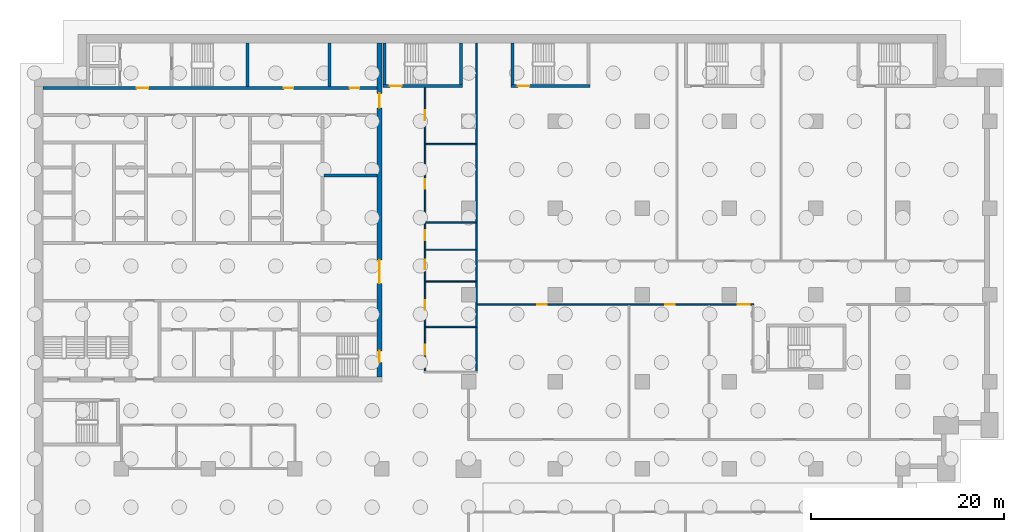
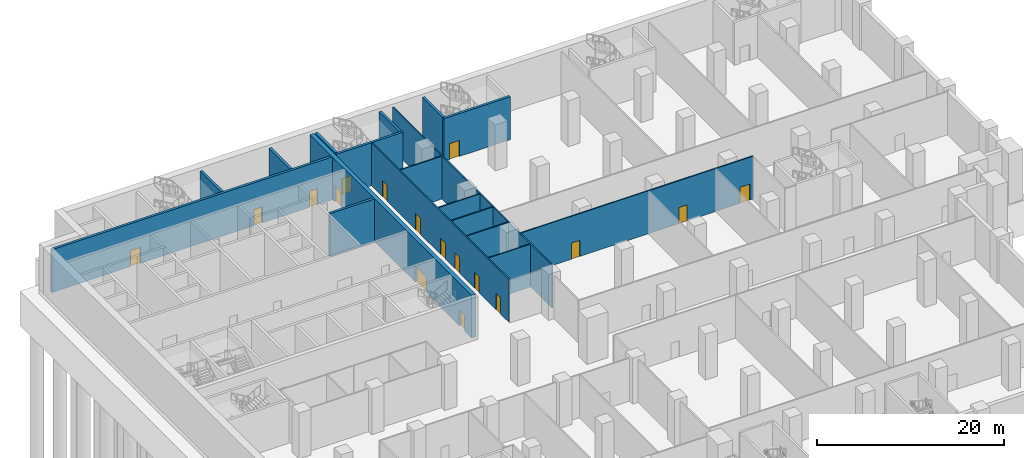
# One storey, part 8 of 25: 18 walls, 17 doors, 17 openings.
"""IFC4 building model written with IfcOpenShell, lengths in metres."""

from ifc_helpers import new_model, si_unit, direction, frame, frame_2d, origin, place, context, subcontext, project, spatial, rectangle, extrude, material, layer, layer_set, type_object, element, fill, save


model = new_model("IFC4")

# Units and contexts
model_context = context("Model", 3, precision=1e-05, world=origin(), true_north=direction((0.0, 1.0)))
body_context = subcontext(model_context, "Body", "Model", "MODEL_VIEW")
ifc_project = project(units=[si_unit("LENGTHUNIT", "METRE"), si_unit("AREAUNIT", "SQUARE_METRE"), si_unit("VOLUMEUNIT", "CUBIC_METRE"), si_unit("PLANEANGLEUNIT", "RADIAN"), si_unit("MASSUNIT", "GRAM", prefix="KILO")], contexts=[model_context])

# Site, building, storey
site_placement = place(None, origin())
site = spatial("IfcSite", under=ifc_project, at=site_placement, CompositionType="ELEMENT")
building_placement = place(site_placement, origin())
building = spatial("IfcBuilding", under=site, at=building_placement, Name="Hunhe Ridgeline Campus", CompositionType="ELEMENT")
storey_placement = place(building_placement, frame((0.0, 0.0, -6.0)))
storey = spatial("IfcBuildingStorey", under=building, at=storey_placement, Name="B1", CompositionType="ELEMENT", Elevation=-6.0)

# Walls
ifc_material_1 = material(Name="Plastered blockwork", Category="masonry")
ifc_layer_1 = layer(ifc_material_1, 0.14990234375)
ifc_layer_set_1 = layer_set([ifc_layer_1], Name="Blockwork partition 150")
wall_type_1 = type_object("IfcWallType", Name="Blockwork partition 150", PredefinedType="PARTITIONING", material=ifc_layer_set_1)
wall_1_placement = place(storey_placement, frame((40.574951171875, 68.697021484375, 0.0), z_axis=(0.0, 0.0, 1.0), x_axis=(1.0, 0.0, 0.0)))
element("IfcWall", 1, at=wall_1_placement, inside=storey, type_object=wall_type_1, Name="B1 partition", PredefinedType="PARTITIONING", context=body_context, shape_type="SweptSolid", body=[
    extrude(rectangle(XDim=5.150146484375, YDim=0.14990234375, at=frame_2d((2.5751953125, 0.0))), origin(), (0.0, 0.0, 1.0), 5.60009765625),
])
wall_2_placement = place(storey_placement, frame((45.800048828125, 64.074951171875, 0.0), z_axis=(0.0, 0.0, 1.0), x_axis=(0.0, 1.0, 0.0)))
element("IfcWall", 2, at=wall_2_placement, inside=storey, type_object=wall_type_1, Name="B1 partition", PredefinedType="PARTITIONING", context=body_context, shape_type="SweptSolid", body=[
    extrude(rectangle(XDim=34.025146484375, YDim=0.14990234375, at=frame_2d((17.0126953125, 0.0))), origin(), (0.0, 0.0, 1.0), 5.60009765625),
])

# Wall, openings, doors
wall_3_placement = place(storey_placement, frame((40.5, 64.074951171875, 0.0), z_axis=(0.0, 0.0, 1.0), x_axis=(0.0, 1.0, 0.0)))
wall_3 = element("IfcWall", 3, at=wall_3_placement, inside=storey, type_object=wall_type_1, Name="B1 partition", PredefinedType="PARTITIONING", context=body_context, shape_type="SweptSolid", body=[
    extrude(rectangle(XDim=29.425048828125, YDim=0.14990234375, at=frame_2d((14.71240234375, 0.0))), origin(), (0.0, 0.0, 1.0), 5.60009765625),
])
opening_1_placement = place(wall_3_placement, frame((1.75, 0.0, 0.0)))
opening_1 = element("IfcOpeningElement", 4, at=opening_1_placement, cuts=wall_3, Name="Opening PD028", PredefinedType="OPENING", context=body_context, shape_type="SweptSolid", body=[
    extrude(rectangle(XDim=1.0, YDim=2.10009765625, at=frame_2d((0.5, 1.050048828125))), frame((0.0, 0.074951171875, 0.0), z_axis=(0.0, -1.0, 0.0), x_axis=(1.0, 0.0, 0.0)), (0.0, 0.0, 1.0), 0.14990234375),
])
opening_2_placement = place(wall_3_placement, frame((6.3720703125, 0.0, 0.0)))
opening_2 = element("IfcOpeningElement", 5, at=opening_2_placement, cuts=wall_3, Name="Opening PD029", PredefinedType="OPENING", context=body_context, shape_type="SweptSolid", body=[
    extrude(rectangle(XDim=1.0, YDim=2.10009765625, at=frame_2d((0.5, 1.050048828125))), frame((0.0, 0.074951171875, 0.0), z_axis=(0.0, -1.0, 0.0), x_axis=(1.0, 0.0, 0.0)), (0.0, 0.0, 1.0), 0.14990234375),
])
opening_3_placement = place(wall_3_placement, frame((10.569091796875, 0.0, 0.0)))
opening_3 = element("IfcOpeningElement", 6, at=opening_3_placement, cuts=wall_3, Name="Opening PD030", PredefinedType="OPENING", context=body_context, shape_type="SweptSolid", body=[
    extrude(rectangle(XDim=1.0, YDim=2.10009765625, at=frame_2d((0.5, 1.050048828125))), frame((0.0, 0.074951171875, 0.0), z_axis=(0.0, -1.0, 0.0), x_axis=(1.0, 0.0, 0.0)), (0.0, 0.0, 1.0), 0.14990234375),
])
opening_4_placement = place(wall_3_placement, frame((13.60693359375, 0.0, 0.0)))
opening_4 = element("IfcOpeningElement", 7, at=opening_4_placement, cuts=wall_3, Name="Opening PD031", PredefinedType="OPENING", context=body_context, shape_type="SweptSolid", body=[
    extrude(rectangle(XDim=1.0, YDim=2.10009765625, at=frame_2d((0.5, 1.050048828125))), frame((0.0, 0.074951171875, 0.0), z_axis=(0.0, -1.0, 0.0), x_axis=(1.0, 0.0, 0.0)), (0.0, 0.0, 1.0), 0.14990234375),
])
opening_5_placement = place(wall_3_placement, frame((18.925048828125, 0.0, 0.0)))
opening_5 = element("IfcOpeningElement", 8, at=opening_5_placement, cuts=wall_3, Name="Opening PD032", PredefinedType="OPENING", context=body_context, shape_type="SweptSolid", body=[
    extrude(rectangle(XDim=1.0, YDim=2.10009765625, at=frame_2d((0.5, 1.050048828125))), frame((0.0, 0.074951171875, 0.0), z_axis=(0.0, -1.0, 0.0), x_axis=(1.0, 0.0, 0.0)), (0.0, 0.0, 1.0), 0.14990234375),
])
opening_6_placement = place(wall_3_placement, frame((26.050048828125, 0.0, 0.0)))
opening_6 = element("IfcOpeningElement", 9, at=opening_6_placement, cuts=wall_3, Name="Opening PD033", PredefinedType="OPENING", context=body_context, shape_type="SweptSolid", body=[
    extrude(rectangle(XDim=1.0, YDim=2.10009765625, at=frame_2d((0.5, 1.050048828125))), frame((0.0, 0.074951171875, 0.0), z_axis=(0.0, -1.0, 0.0), x_axis=(1.0, 0.0, 0.0)), (0.0, 0.0, 1.0), 0.14990234375),
])
ifc_material_2 = material(Name="Timber", Category="wood")
door_type_1 = type_object("IfcDoorType", Name="Podium accessible WC door 1000x2100", OperationType="NOTDEFINED", PredefinedType="DOOR", material=ifc_material_2)
door_1_placement = place(opening_3_placement, origin())
door_1 = element("IfcDoor", 10, at=door_1_placement, inside=storey, type_object=door_type_1, Name="Accessible WC door", OperationType="SINGLE_SWING_LEFT", OverallHeight=2.10009765625, OverallWidth=1.0, PredefinedType="DOOR", context=body_context, shape_type="SweptSolid", body=[
    extrude(rectangle(XDim=1.0, YDim=2.10009765625, at=frame_2d((0.5, 1.050048828125))), frame((0.0, 0.02490234375, 0.0), z_axis=(0.0, -1.0, 0.0), x_axis=(1.0, 0.0, 0.0)), (0.0, 0.0, 1.0), 0.050048828125),
])
fill(opening_3, door_1)
door_type_2 = type_object("IfcDoorType", Name="Podium timber door 1000x2100", OperationType="NOTDEFINED", PredefinedType="DOOR", material=ifc_material_2)
door_2_placement = place(opening_1_placement, origin())
door_2 = element("IfcDoor", 11, at=door_2_placement, inside=storey, type_object=door_type_2, Name="Men WC door", OperationType="SINGLE_SWING_LEFT", OverallHeight=2.10009765625, OverallWidth=1.0, PredefinedType="DOOR", context=body_context, shape_type="SweptSolid", body=[
    extrude(rectangle(XDim=1.0, YDim=2.10009765625, at=frame_2d((0.5, 1.050048828125))), frame((0.0, 0.02490234375, 0.0), z_axis=(0.0, -1.0, 0.0), x_axis=(1.0, 0.0, 0.0)), (0.0, 0.0, 1.0), 0.050048828125),
])
fill(opening_1, door_2)
door_3_placement = place(opening_2_placement, origin())
door_3 = element("IfcDoor", 12, at=door_3_placement, inside=storey, type_object=door_type_2, Name="Women WC door", OperationType="SINGLE_SWING_LEFT", OverallHeight=2.10009765625, OverallWidth=1.0, PredefinedType="DOOR", context=body_context, shape_type="SweptSolid", body=[
    extrude(rectangle(XDim=1.0, YDim=2.10009765625, at=frame_2d((0.5, 1.050048828125))), frame((0.0, 0.02490234375, 0.0), z_axis=(0.0, -1.0, 0.0), x_axis=(1.0, 0.0, 0.0)), (0.0, 0.0, 1.0), 0.050048828125),
])
fill(opening_2, door_3)
door_4_placement = place(opening_4_placement, origin())
door_4 = element("IfcDoor", 13, at=door_4_placement, inside=storey, type_object=door_type_2, Name="Cleaners Store door", OperationType="SINGLE_SWING_LEFT", OverallHeight=2.10009765625, OverallWidth=1.0, PredefinedType="DOOR", context=body_context, shape_type="SweptSolid", body=[
    extrude(rectangle(XDim=1.0, YDim=2.10009765625, at=frame_2d((0.5, 1.050048828125))), frame((0.0, 0.02490234375, 0.0), z_axis=(0.0, -1.0, 0.0), x_axis=(1.0, 0.0, 0.0)), (0.0, 0.0, 1.0), 0.050048828125),
])
fill(opening_4, door_4)
door_5_placement = place(opening_5_placement, origin())
door_5 = element("IfcDoor", 14, at=door_5_placement, inside=storey, type_object=door_type_2, Name="Refuse Store door", OperationType="SINGLE_SWING_RIGHT", OverallHeight=2.10009765625, OverallWidth=1.0, PredefinedType="DOOR", context=body_context, shape_type="SweptSolid", body=[
    extrude(rectangle(XDim=1.0, YDim=2.10009765625, at=frame_2d((0.5, 1.050048828125))), frame((0.0, 0.02490234375, 0.0), z_axis=(0.0, -1.0, 0.0), x_axis=(1.0, 0.0, 0.0)), (0.0, 0.0, 1.0), 0.050048828125),
])
fill(opening_5, door_5)
door_6_placement = place(opening_6_placement, origin())
door_6 = element("IfcDoor", 15, at=door_6_placement, inside=storey, type_object=door_type_2, Name="Delivery Holding Store door", OperationType="SINGLE_SWING_RIGHT", OverallHeight=2.10009765625, OverallWidth=1.0, PredefinedType="DOOR", context=body_context, shape_type="SweptSolid", body=[
    extrude(rectangle(XDim=1.0, YDim=2.10009765625, at=frame_2d((0.5, 1.050048828125))), frame((0.0, 0.02490234375, 0.0), z_axis=(0.0, -1.0, 0.0), x_axis=(1.0, 0.0, 0.0)), (0.0, 0.0, 1.0), 0.050048828125),
])
fill(opening_6, door_6)

# Walls
for number, where, z_axis, x_axis, name in (
    (16, (40.574951171875, 73.39404296875, 0.0), (0.0, 0.0, 1.0), (1.0, 0.0, 0.0), "B1 partition"),
    (17, (40.574951171875, 76.681884765625, 0.0), (0.0, 0.0, 1.0), (1.0, 0.0, 0.0), "B1 partition"),
    (18, (40.574951171875, 79.5, 0.0), (0.0, 0.0, 1.0), (1.0, 0.0, 0.0), "B1 partition"),
    (19, (40.574951171875, 87.625, 0.0), (0.0, 0.0, 1.0), (1.0, 0.0, 0.0), "B1 partition"),
):
    element("IfcWall", number, at=place(storey_placement, frame(where, z_axis=z_axis, x_axis=x_axis)), inside=storey, type_object=wall_type_1, Name=name, PredefinedType="PARTITIONING", context=body_context, shape_type="SweptSolid", body=[
        extrude(rectangle(XDim=5.150146484375, YDim=0.14990234375, at=frame_2d((2.5751953125, 0.0))), origin(), (0.0, 0.0, 1.0), 5.60009765625),
    ])

# Wall, openings, doors
wall_4_placement = place(storey_placement, frame((45.875, 71.0, 0.0), z_axis=(0.0, 0.0, 1.0), x_axis=(1.0, 0.0, 0.0)))
wall_4 = element("IfcWall", 20, at=wall_4_placement, inside=storey, type_object=wall_type_1, Name="B1 partition", PredefinedType="PARTITIONING", context=body_context, shape_type="SweptSolid", body=[
    extrude(rectangle(XDim=28.699951171875, YDim=0.14990234375, at=frame_2d((14.35009765625, 0.0))), origin(), (0.0, 0.0, 1.0), 5.60009765625),
])
opening_7_placement = place(wall_4_placement, frame((6.25, 0.0, 0.0)))
opening_7 = element("IfcOpeningElement", 21, at=opening_7_placement, cuts=wall_4, Name="Opening PD035", PredefinedType="OPENING", context=body_context, shape_type="SweptSolid", body=[
    extrude(rectangle(XDim=1.0, YDim=2.10009765625, at=frame_2d((0.5, 1.050048828125))), frame((0.0, 0.074951171875, 0.0), z_axis=(0.0, -1.0, 0.0), x_axis=(1.0, 0.0, 0.0)), (0.0, 0.0, 1.0), 0.14990234375),
])
opening_8_placement = place(wall_4_placement, frame((19.489990234375, 0.0, 0.0)))
opening_8 = element("IfcOpeningElement", 22, at=opening_8_placement, cuts=wall_4, Name="Opening PD037", PredefinedType="OPENING", context=body_context, shape_type="SweptSolid", body=[
    extrude(rectangle(XDim=1.0, YDim=2.10009765625, at=frame_2d((0.5, 1.050048828125))), frame((0.0, 0.074951171875, 0.0), z_axis=(0.0, -1.0, 0.0), x_axis=(1.0, 0.0, 0.0)), (0.0, 0.0, 1.0), 0.14990234375),
])
opening_9_placement = place(wall_4_placement, frame((27.048095703125, 0.0, 0.0)))
opening_9 = element("IfcOpeningElement", 23, at=opening_9_placement, cuts=wall_4, Name="Opening PD039", PredefinedType="OPENING", context=body_context, shape_type="SweptSolid", body=[
    extrude(rectangle(XDim=1.199951171875, YDim=2.10009765625, at=frame_2d((0.60009765625, 1.050048828125))), frame((0.0, 0.074951171875, 0.0), z_axis=(0.0, -1.0, 0.0), x_axis=(1.0, 0.0, 0.0)), (0.0, 0.0, 1.0), 0.14990234375),
])
ifc_material_3 = material(Name="Steel Q235", Category="steel")
door_type_3 = type_object("IfcDoorType", Name="Podium fire door 1200x2100 FD60", OperationType="NOTDEFINED", PredefinedType="DOOR", material=ifc_material_3)
door_7_placement = place(opening_9_placement, origin())
door_7 = element("IfcDoor", 24, at=door_7_placement, inside=storey, type_object=door_type_3, Name="Plant Room door", OperationType="SINGLE_SWING_RIGHT", OverallHeight=2.10009765625, OverallWidth=1.199951171875, PredefinedType="DOOR", context=body_context, shape_type="SweptSolid", body=[
    extrude(rectangle(XDim=1.199951171875, YDim=2.10009765625, at=frame_2d((0.60009765625, 1.050048828125))), frame((0.0, 0.02490234375, 0.0), z_axis=(0.0, -1.0, 0.0), x_axis=(1.0, 0.0, 0.0)), (0.0, 0.0, 1.0), 0.050048828125),
])
fill(opening_9, door_7)
door_8_placement = place(opening_7_placement, origin())
door_8 = element("IfcDoor", 25, at=door_8_placement, inside=storey, type_object=door_type_2, Name="Workshop door", OperationType="SINGLE_SWING_LEFT", OverallHeight=2.10009765625, OverallWidth=1.0, PredefinedType="DOOR", context=body_context, shape_type="SweptSolid", body=[
    extrude(rectangle(XDim=1.0, YDim=2.10009765625, at=frame_2d((0.5, 1.050048828125))), frame((0.0, 0.02490234375, 0.0), z_axis=(0.0, -1.0, 0.0), x_axis=(1.0, 0.0, 0.0)), (0.0, 0.0, 1.0), 0.050048828125),
])
fill(opening_7, door_8)
door_9_placement = place(opening_8_placement, origin())
door_9 = element("IfcDoor", 26, at=door_9_placement, inside=storey, type_object=door_type_2, Name="Maintenance Store door", OperationType="SINGLE_SWING_RIGHT", OverallHeight=2.10009765625, OverallWidth=1.0, PredefinedType="DOOR", context=body_context, shape_type="SweptSolid", body=[
    extrude(rectangle(XDim=1.0, YDim=2.10009765625, at=frame_2d((0.5, 1.050048828125))), frame((0.0, 0.02490234375, 0.0), z_axis=(0.0, -1.0, 0.0), x_axis=(1.0, 0.0, 0.0)), (0.0, 0.0, 1.0), 0.050048828125),
])
fill(opening_8, door_9)

# Walls
ifc_material_4 = material(Name="Masonry concrete blockwork", Category="masonry")
ifc_layer_2 = layer(ifc_material_4, 0.300048828125)
ifc_layer_set_2 = layer_set([ifc_layer_2], Name="Core room partition 300 concrete block")
wall_type_2 = type_object("IfcWallType", Name="Core room partition 300 concrete block", PredefinedType="PARTITIONING", material=ifc_layer_set_2)
wall_5_placement = place(storey_placement, frame((30.0, 84.39990234375, 0.0), z_axis=(0.0, 0.0, 1.0), x_axis=(1.0, 0.0, 0.0)))
element("IfcWall", 27, at=wall_5_placement, inside=storey, type_object=wall_type_2, Name="B1 core partition 23", PredefinedType="PARTITIONING", context=body_context, shape_type="SweptSolid", body=[
    extrude(rectangle(XDim=5.5, YDim=0.300048828125, at=frame_2d((2.75, 0.0))), origin(), (0.0, 0.0, 1.0), 5.60009765625),
])
wall_6_placement = place(storey_placement, frame((30.60009765625, 93.60009765625, 0.0), z_axis=(0.0, 0.0, 1.0), x_axis=(0.0, 1.0, 0.0)))
element("IfcWall", 28, at=wall_6_placement, inside=storey, type_object=wall_type_2, Name="B1 core partition 63", PredefinedType="PARTITIONING", context=body_context, shape_type="SweptSolid", body=[
    extrude(rectangle(XDim=4.5, YDim=0.300048828125, at=frame_2d((2.25, 0.0))), origin(), (0.0, 0.0, 1.0), 5.60009765625),
])

# Wall, openings, doors
ifc_material_5 = material(Name="Concrete C80", Category="concrete")
ifc_layer_3 = layer(ifc_material_5, 0.5)
ifc_layer_set_3 = layer_set([ifc_layer_3], Name="Core wall 500 reinforced concrete C80")
wall_type_3 = type_object("IfcWallType", Name="Core wall 500 reinforced concrete C80", PredefinedType="SOLIDWALL", material=ifc_layer_set_3)
wall_7_placement = place(storey_placement, frame((35.75, 63.5, 0.0), z_axis=(0.0, 0.0, 1.0), x_axis=(0.0, 1.0, 0.0)))
wall_7 = element("IfcWall", 29, at=wall_7_placement, inside=storey, type_object=wall_type_3, Name="B1 core wall 64", PredefinedType="SOLIDWALL", context=body_context, shape_type="SweptSolid", body=[
    extrude(rectangle(XDim=34.60009765625, YDim=0.5, at=frame_2d((17.300048828125, 0.0))), origin(), (0.0, 0.0, 1.0), 5.60009765625),
])
opening_10_placement = place(wall_7_placement, frame((9.699951171875, 0.0, 0.0)))
opening_10 = element("IfcOpeningElement", 30, at=opening_10_placement, cuts=wall_7, Name="Opening CD4", PredefinedType="OPENING", context=body_context, shape_type="SweptSolid", body=[
    extrude(rectangle(XDim=2.39990234375, YDim=2.10009765625, at=frame_2d((1.199951171875, 1.050048828125))), frame((0.0, 0.25, 0.0), z_axis=(0.0, -1.0, 0.0), x_axis=(1.0, 0.0, 0.0)), (0.0, 0.0, 1.0), 0.5),
])
opening_11_placement = place(wall_7_placement, frame((27.89990234375, 0.0, 0.0)))
opening_11 = element("IfcOpeningElement", 31, at=opening_11_placement, cuts=wall_7, Name="Opening CD5", PredefinedType="OPENING", context=body_context, shape_type="SweptSolid", body=[
    extrude(rectangle(XDim=1.5, YDim=2.10009765625, at=frame_2d((0.75, 1.050048828125))), frame((0.0, 0.25, 0.0), z_axis=(0.0, -1.0, 0.0), x_axis=(1.0, 0.0, 0.0)), (0.0, 0.0, 1.0), 0.5),
])
opening_12_placement = place(wall_7_placement, frame((1.5, 0.0, 0.0)))
opening_12 = element("IfcOpeningElement", 32, at=opening_12_placement, cuts=wall_7, Name="Opening CD15", PredefinedType="OPENING", context=body_context, shape_type="SweptSolid", body=[
    extrude(rectangle(XDim=1.199951171875, YDim=2.10009765625, at=frame_2d((0.60009765625, 1.050048828125))), frame((0.0, 0.25, 0.0), z_axis=(0.0, -1.0, 0.0), x_axis=(1.0, 0.0, 0.0)), (0.0, 0.0, 1.0), 0.5),
])
ifc_material_6 = material(Name="Anodised aluminium and glass", Category="aluminium")
door_type_4 = type_object("IfcDoorType", Name="Glazed double door 2400x2100", OperationType="DOUBLE_DOOR_SINGLE_SWING", PredefinedType="DOOR", material=ifc_material_6)
door_10_placement = place(opening_10_placement, frame((2.39990234375, 0.0, 0.0), z_axis=(0.0, 0.0, 1.0), x_axis=(-1.0, 0.0, 0.0)))
door_10 = element("IfcDoor", 33, at=door_10_placement, inside=storey, type_object=door_type_4, Name="B1 door HALL-FLOOR", OperationType="DOUBLE_DOOR_SINGLE_SWING", OverallHeight=2.10009765625, OverallWidth=2.39990234375, PredefinedType="DOOR", context=body_context, shape_type="SweptSolid", body=[
    extrude(rectangle(XDim=2.39990234375, YDim=2.10009765625, at=frame_2d((1.199951171875, 1.050048828125))), frame((0.0, 0.02490234375, 0.0), z_axis=(0.0, -1.0, 0.0), x_axis=(1.0, 0.0, 0.0)), (0.0, 0.0, 1.0), 0.050048828125),
])
fill(opening_10, door_10)
ifc_material_7 = material(Name="Hollow metal fire door leaf")
door_type_5 = type_object("IfcDoorType", Name="Stair door 1200x2100 FD60", OperationType="SINGLE_SWING_LEFT", PredefinedType="DOOR", material=ifc_material_7)
door_11_placement = place(opening_12_placement, frame((1.199951171875, 0.0, 0.0), z_axis=(0.0, 0.0, 1.0), x_axis=(-1.0, 0.0, 0.0)))
door_11 = element("IfcDoor", 34, at=door_11_placement, inside=storey, type_object=door_type_5, Name="B1 door S2-FLOOR", OperationType="SINGLE_SWING_RIGHT", OverallHeight=2.10009765625, OverallWidth=1.199951171875, PredefinedType="DOOR", context=body_context, shape_type="SweptSolid", body=[
    extrude(rectangle(XDim=1.199951171875, YDim=2.10009765625, at=frame_2d((0.60009765625, 1.050048828125))), frame((0.0, 0.02490234375, 0.0), z_axis=(0.0, -1.0, 0.0), x_axis=(1.0, 0.0, 0.0)), (0.0, 0.0, 1.0), 0.050048828125),
])
fill(opening_12, door_11)
ifc_material_8 = material(Name="Solid core timber door leaf", Category="wood")
door_type_6 = type_object("IfcDoorType", Name="Timber door 1500x2100", OperationType="SINGLE_SWING_LEFT", PredefinedType="DOOR", material=ifc_material_8)
door_12_placement = place(opening_11_placement, frame((1.5, 0.0, 0.0), z_axis=(0.0, 0.0, 1.0), x_axis=(-1.0, 0.0, 0.0)))
door_12 = element("IfcDoor", 35, at=door_12_placement, inside=storey, type_object=door_type_6, Name="B1 door C1-FLOOR", OperationType="SINGLE_SWING_RIGHT", OverallHeight=2.10009765625, OverallWidth=1.5, PredefinedType="DOOR", context=body_context, shape_type="SweptSolid", body=[
    extrude(rectangle(XDim=1.5, YDim=2.10009765625, at=frame_2d((0.75, 1.050048828125))), frame((0.0, 0.02490234375, 0.0), z_axis=(0.0, -1.0, 0.0), x_axis=(1.0, 0.0, 0.0)), (0.0, 0.0, 1.0), 0.050048828125),
])
fill(opening_11, door_12)

ifc_layer_4 = layer(ifc_material_5, 0.300048828125)
ifc_layer_set_4 = layer_set([ifc_layer_4], Name="Shaft wall 300 reinforced concrete C80")
wall_type_4 = type_object("IfcWallType", Name="Shaft wall 300 reinforced concrete C80", PredefinedType="SOLIDWALL", material=ifc_layer_set_4)
wall_8_placement = place(storey_placement, frame((0.89990234375, 93.449951171875, 0.0), z_axis=(0.0, 0.0, 1.0), x_axis=(1.0, 0.0, 0.0)))
wall_8 = element("IfcWall", 36, at=wall_8_placement, inside=storey, type_object=wall_type_4, Name="B1 core wall 31", PredefinedType="SOLIDWALL", context=body_context, shape_type="SweptSolid", body=[
    extrude(rectangle(XDim=34.60009765625, YDim=0.300048828125, at=frame_2d((17.300048828125, 0.0))), origin(), (0.0, 0.0, 1.0), 5.60009765625),
])
opening_13_placement = place(wall_8_placement, frame((9.699951171875, 0.0, 0.0)))
opening_13 = element("IfcOpeningElement", 37, at=opening_13_placement, cuts=wall_8, Name="Opening CD3", PredefinedType="OPENING", context=body_context, shape_type="SweptSolid", body=[
    extrude(rectangle(XDim=1.199951171875, YDim=2.10009765625, at=frame_2d((0.60009765625, 1.050048828125))), frame((0.0, 0.14990234375, 0.0), z_axis=(0.0, -1.0, 0.0), x_axis=(1.0, 0.0, 0.0)), (0.0, 0.0, 1.0), 0.300048828125),
])
opening_14_placement = place(wall_8_placement, frame((24.949951171875, 0.0, 0.0)))
opening_14 = element("IfcOpeningElement", 38, at=opening_14_placement, cuts=wall_8, Name="Opening CD34", PredefinedType="OPENING", context=body_context, shape_type="SweptSolid", body=[
    extrude(rectangle(XDim=1.0, YDim=2.10009765625, at=frame_2d((0.5, 1.050048828125))), frame((0.0, 0.14990234375, 0.0), z_axis=(0.0, -1.0, 0.0), x_axis=(1.0, 0.0, 0.0)), (0.0, 0.0, 1.0), 0.300048828125),
])
opening_15_placement = place(wall_8_placement, frame((31.77490234375, 0.0, 0.0)))
opening_15 = element("IfcOpeningElement", 39, at=opening_15_placement, cuts=wall_8, Name="Opening CD35", PredefinedType="OPENING", context=body_context, shape_type="SweptSolid", body=[
    extrude(rectangle(XDim=1.0, YDim=2.10009765625, at=frame_2d((0.5, 1.050048828125))), frame((0.0, 0.14990234375, 0.0), z_axis=(0.0, -1.0, 0.0), x_axis=(1.0, 0.0, 0.0)), (0.0, 0.0, 1.0), 0.300048828125),
])
door_type_7 = type_object("IfcDoorType", Name="Lobby door 1200x2100 FD60", OperationType="SINGLE_SWING_LEFT", PredefinedType="DOOR", material=ifc_material_7)
door_13_placement = place(opening_13_placement, frame((1.199951171875, 0.0, 0.0), z_axis=(0.0, 0.0, 1.0), x_axis=(-1.0, 0.0, 0.0)))
door_13 = element("IfcDoor", 40, at=door_13_placement, inside=storey, type_object=door_type_7, Name="B1 door FF-C1", OperationType="SINGLE_SWING_LEFT", OverallHeight=2.10009765625, OverallWidth=1.199951171875, PredefinedType="DOOR", context=body_context, shape_type="SweptSolid", body=[
    extrude(rectangle(XDim=1.199951171875, YDim=2.10009765625, at=frame_2d((0.60009765625, 1.050048828125))), frame((0.0, 0.02490234375, 0.0), z_axis=(0.0, -1.0, 0.0), x_axis=(1.0, 0.0, 0.0)), (0.0, 0.0, 1.0), 0.050048828125),
])
fill(opening_13, door_13)
door_type_8 = type_object("IfcDoorType", Name="Timber door 1000x2100", OperationType="SINGLE_SWING_LEFT", PredefinedType="DOOR", material=ifc_material_8)
door_14_placement = place(opening_14_placement, origin())
door_14 = element("IfcDoor", 41, at=door_14_placement, inside=storey, type_object=door_type_8, Name="B1 door NB0", OperationType="SINGLE_SWING_LEFT", OverallHeight=2.10009765625, OverallWidth=1.0, PredefinedType="DOOR", context=body_context, shape_type="SweptSolid", body=[
    extrude(rectangle(XDim=1.0, YDim=2.10009765625, at=frame_2d((0.5, 1.050048828125))), frame((0.0, 0.02490234375, 0.0), z_axis=(0.0, -1.0, 0.0), x_axis=(1.0, 0.0, 0.0)), (0.0, 0.0, 1.0), 0.050048828125),
])
fill(opening_14, door_14)
door_15_placement = place(opening_15_placement, origin())
door_15 = element("IfcDoor", 42, at=door_15_placement, inside=storey, type_object=door_type_8, Name="B1 door NB1", OperationType="SINGLE_SWING_RIGHT", OverallHeight=2.10009765625, OverallWidth=1.0, PredefinedType="DOOR", context=body_context, shape_type="SweptSolid", body=[
    extrude(rectangle(XDim=1.0, YDim=2.10009765625, at=frame_2d((0.5, 1.050048828125))), frame((0.0, 0.02490234375, 0.0), z_axis=(0.0, -1.0, 0.0), x_axis=(1.0, 0.0, 0.0)), (0.0, 0.0, 1.0), 0.050048828125),
])
fill(opening_15, door_15)

# Wall, opening, door
ifc_layer_5 = layer(ifc_material_5, 0.300048828125)
ifc_layer_set_5 = layer_set([ifc_layer_5], Name="Stair wall 300 reinforced concrete C80")
wall_type_5 = type_object("IfcWallType", Name="Stair wall 300 reinforced concrete C80", PredefinedType="SOLIDWALL", material=ifc_layer_set_5)
wall_9_placement = place(storey_placement, frame((36.14990234375, 93.64990234375, 0.0), z_axis=(0.0, 0.0, 1.0), x_axis=(1.0, 0.0, 0.0)))
wall_9 = element("IfcWall", 43, at=wall_9_placement, inside=storey, type_object=wall_type_5, Name="B1 core wall 32", PredefinedType="SOLIDWALL", context=body_context, shape_type="SweptSolid", body=[
    extrude(rectangle(XDim=8.2001953125, YDim=0.300048828125, at=frame_2d((4.10009765625, 0.0))), origin(), (0.0, 0.0, 1.0), 5.60009765625),
])
opening_16_placement = place(wall_9_placement, frame((0.699951171875, 0.0, 0.0)))
opening_16 = element("IfcOpeningElement", 44, at=opening_16_placement, cuts=wall_9, Name="Opening CD17", PredefinedType="OPENING", context=body_context, shape_type="SweptSolid", body=[
    extrude(rectangle(XDim=1.199951171875, YDim=2.10009765625, at=frame_2d((0.60009765625, 1.050048828125))), frame((0.0, 0.14990234375, 0.0), z_axis=(0.0, -1.0, 0.0), x_axis=(1.0, 0.0, 0.0)), (0.0, 0.0, 1.0), 0.300048828125),
])
door_16_placement = place(opening_16_placement, frame((1.199951171875, 0.0, 0.0), z_axis=(0.0, 0.0, 1.0), x_axis=(-1.0, 0.0, 0.0)))
door_16 = element("IfcDoor", 45, at=door_16_placement, inside=storey, type_object=door_type_5, Name="B1 door E1", OperationType="SINGLE_SWING_RIGHT", OverallHeight=2.10009765625, OverallWidth=1.199951171875, PredefinedType="DOOR", context=body_context, shape_type="SweptSolid", body=[
    extrude(rectangle(XDim=1.199951171875, YDim=2.10009765625, at=frame_2d((0.60009765625, 1.050048828125))), frame((0.0, 0.02490234375, 0.0), z_axis=(0.0, -1.0, 0.0), x_axis=(1.0, 0.0, 0.0)), (0.0, 0.0, 1.0), 0.050048828125),
])
fill(opening_16, door_16)

wall_10_placement = place(storey_placement, frame((49.39990234375, 93.64990234375, 0.0), z_axis=(0.0, 0.0, 1.0), x_axis=(1.0, 0.0, 0.0)))
wall_10 = element("IfcWall", 46, at=wall_10_placement, inside=storey, type_object=wall_type_5, Name="B1 core wall 33", PredefinedType="SOLIDWALL", context=body_context, shape_type="SweptSolid", body=[
    extrude(rectangle(XDim=8.2001953125, YDim=0.300048828125, at=frame_2d((4.10009765625, 0.0))), origin(), (0.0, 0.0, 1.0), 5.60009765625),
])
opening_17_placement = place(wall_10_placement, frame((0.699951171875, 0.0, 0.0)))
opening_17 = element("IfcOpeningElement", 47, at=opening_17_placement, cuts=wall_10, Name="Opening CD18", PredefinedType="OPENING", context=body_context, shape_type="SweptSolid", body=[
    extrude(rectangle(XDim=1.199951171875, YDim=2.10009765625, at=frame_2d((0.60009765625, 1.050048828125))), frame((0.0, 0.14990234375, 0.0), z_axis=(0.0, -1.0, 0.0), x_axis=(1.0, 0.0, 0.0)), (0.0, 0.0, 1.0), 0.300048828125),
])
door_17_placement = place(opening_17_placement, frame((1.199951171875, 0.0, 0.0), z_axis=(0.0, 0.0, 1.0), x_axis=(-1.0, 0.0, 0.0)))
door_17 = element("IfcDoor", 48, at=door_17_placement, inside=storey, type_object=door_type_5, Name="B1 door E2", OperationType="SINGLE_SWING_LEFT", OverallHeight=2.10009765625, OverallWidth=1.199951171875, PredefinedType="DOOR", context=body_context, shape_type="SweptSolid", body=[
    extrude(rectangle(XDim=1.199951171875, YDim=2.10009765625, at=frame_2d((0.60009765625, 1.050048828125))), frame((0.0, 0.02490234375, 0.0), z_axis=(0.0, -1.0, 0.0), x_axis=(1.0, 0.0, 0.0)), (0.0, 0.0, 1.0), 0.050048828125),
])
fill(opening_17, door_17)

# Walls
wall_11_placement = place(storey_placement, frame((22.10009765625, 93.60009765625, 0.0), z_axis=(0.0, 0.0, 1.0), x_axis=(0.0, 1.0, 0.0)))
element("IfcWall", 49, at=wall_11_placement, inside=storey, type_object=wall_type_5, Name="B1 core wall 53", PredefinedType="SOLIDWALL", context=body_context, shape_type="SweptSolid", body=[
    extrude(rectangle(XDim=4.5, YDim=0.300048828125, at=frame_2d((2.25, 0.0))), origin(), (0.0, 0.0, 1.0), 5.60009765625),
])
for number, where, z_axis, x_axis, name in (
    (50, (36.300048828125, 93.800048828125, 0.0), (0.0, 0.0, 1.0), (0.0, 1.0, 0.0), "B1 core wall 65"),
    (51, (44.199951171875, 93.800048828125, 0.0), (0.0, 0.0, 1.0), (0.0, 1.0, 0.0), "B1 core wall 66"),
    (52, (49.550048828125, 93.800048828125, 0.0), (0.0, 0.0, 1.0), (0.0, 1.0, 0.0), "B1 core wall 67"),
):
    element("IfcWall", number, at=place(storey_placement, frame(where, z_axis=z_axis, x_axis=x_axis)), inside=storey, type_object=wall_type_5, Name=name, PredefinedType="SOLIDWALL", context=body_context, shape_type="SweptSolid", body=[
        extrude(rectangle(XDim=4.300048828125, YDim=0.300048828125, at=frame_2d((2.14990234375, 0.0))), origin(), (0.0, 0.0, 1.0), 5.60009765625),
    ])

save(model, "model.ifc")
